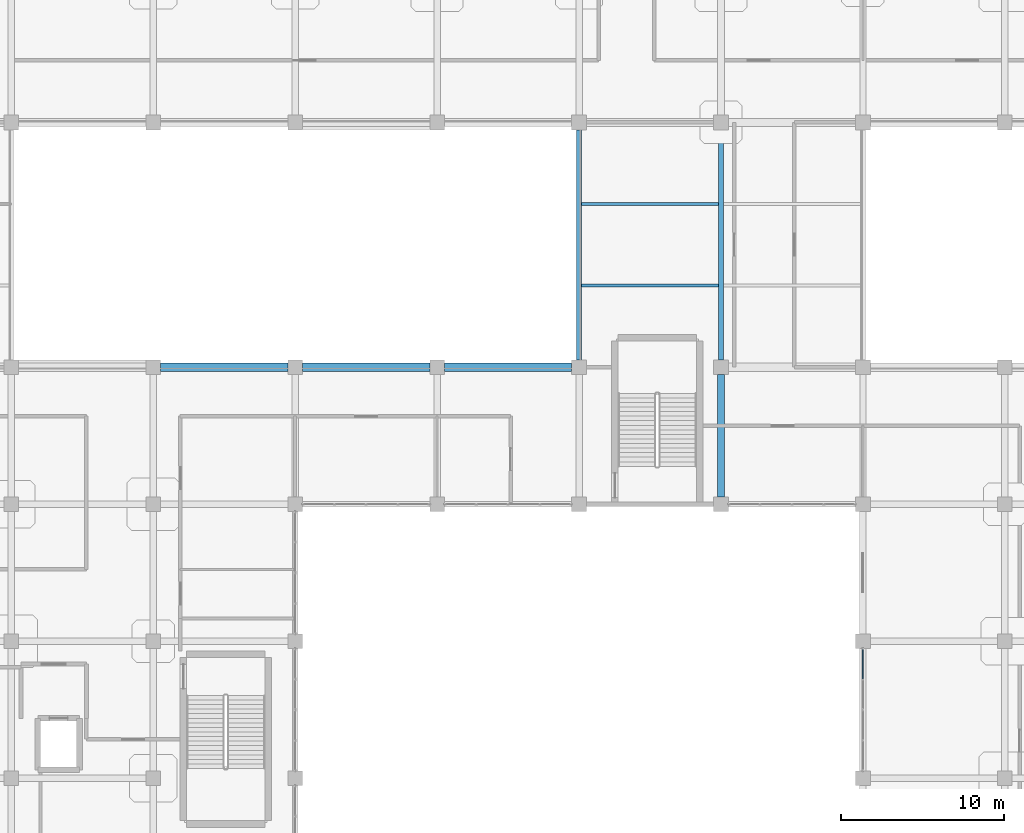
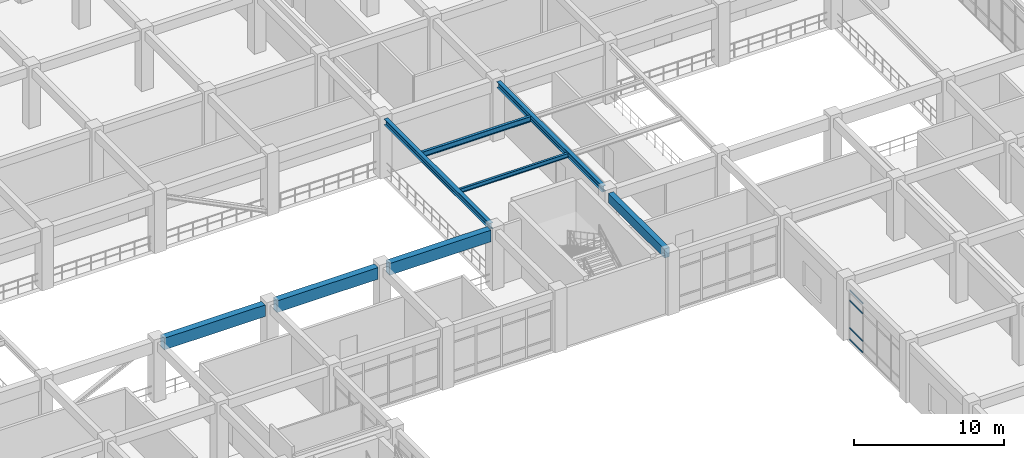
# One storey, part 40 of 120: 8 beams, 4 members, 1 element without a shape of its own.
"""IFC4 building model written with IfcOpenShell, lengths in metres."""

from ifc_helpers import new_model, si_unit, derived_unit, direction, frame, origin, origin_2d, place, context, subcontext, project, spatial, rectangle, hollow_rectangle, i_section, extrude, material, layer, layer_set, material_profile, profile_set, type_object, element, aggregate, save


model = new_model("IFC4")

# Units and contexts
model_context = context("Model", 3, precision=1e-05, world=origin(), true_north=direction((0.0, 1.0)))
body_context = subcontext(model_context, "Body", "Model", "MODEL_VIEW")
ifc_project = project(units=[si_unit("LENGTHUNIT", "METRE"), si_unit("AREAUNIT", "SQUARE_METRE"), si_unit("VOLUMEUNIT", "CUBIC_METRE"), si_unit("PLANEANGLEUNIT", "RADIAN"), si_unit("MASSUNIT", "GRAM", prefix="KILO"), derived_unit("THERMALTRANSMITTANCEUNIT", [(si_unit("MASSUNIT", "GRAM", prefix="KILO"), 1), (si_unit("TIMEUNIT", "SECOND"), -3), (si_unit("THERMODYNAMICTEMPERATUREUNIT", "KELVIN"), -1)])], contexts=[model_context])

# Site, building, storey
site_placement = place(None, origin())
site = spatial("IfcSite", under=ifc_project, at=site_placement, CompositionType="ELEMENT")
building_placement = place(site_placement, origin())
building = spatial("IfcBuilding", under=site, at=building_placement, Name="Qinzheling Arcade Emporium", CompositionType="ELEMENT")
storey_placement = place(building_placement, frame((0.0, 0.0, 11.39990234375)))
storey = spatial("IfcBuildingStorey", under=building, at=storey_placement, Name="L03", CompositionType="ELEMENT", Elevation=11.39990234375)

# Beams
ifc_material_1 = material(Name="Structural steel Q355B", Category="steel")
ifc_material_profile_1 = material_profile(ifc_material_1, i_section(OverallWidth=0.300048828125, OverallDepth=0.488037109375, WebThickness=0.010986328125, FlangeThickness=0.01806640625, FilletRadius=0.02197265625, at=origin_2d()), Name="HM 488x300x11x18", Category="steel")
ifc_profile_set_1 = profile_set([ifc_material_profile_1], Name="Structural steel Q355B")
beam_type_1 = type_object("IfcBeamType", Name="Atrium Bridge Girder HM488 Q355B", PredefinedType="USERDEFINED", material=ifc_profile_set_1)
for number, where, z_axis, x_axis, name in (
    (1, (87.0, 50.85009765625, 4.576171875), (0.0, 1.0, 0.0), (-1.0, 0.0, 0.0), "Beam BM-L03-Y-11-G"),
    (2, (95.699951171875, 50.85009765625, 4.576171875), (0.0, 1.0, 0.0), (-1.0, 0.0, 0.0), "Beam BM-L03-Y-12-G"),
):
    element("IfcBeam", number, at=place(storey_placement, frame(where, z_axis=z_axis, x_axis=x_axis)), inside=storey, type_object=beam_type_1, Name=name, ObjectType="TRANSFER_GIRDER", PredefinedType="USERDEFINED", context=body_context, shape_type="SweptSolid", body=[
        extrude(i_section(OverallWidth=0.300048828125, OverallDepth=0.488037109375, WebThickness=0.010986328125, FlangeThickness=0.01806640625, FilletRadius=0.02197265625, at=origin_2d()), origin(), (0.0, 0.0, 1.0), 14.099853515625),
    ])
ifc_material_profile_2 = material_profile(ifc_material_1, i_section(OverallWidth=0.175048828125, OverallDepth=0.35009765625, WebThickness=0.007080078125, FlangeThickness=0.010986328125, FilletRadius=0.013916015625, at=origin_2d()), Name="HN 350x175x7x11", Category="steel")
ifc_profile_set_2 = profile_set([ifc_material_profile_2], Name="Structural steel Q355B")
beam_type_2 = type_object("IfcBeamType", Name="Canopy Secondary Joist HN350 Q355B", PredefinedType="JOIST", material=ifc_profile_set_2)
beam_1_placement = place(storey_placement, frame((87.155029296875, 55.39990234375, 4.64501953125), z_axis=(1.0, 0.0, 0.0), x_axis=(0.0, 1.0, 0.0)))
element("IfcBeam", 3, at=beam_1_placement, inside=storey, type_object=beam_type_2, Name="Secondary Joist JST-L03-11-1", PredefinedType="JOIST", context=body_context, shape_type="SweptSolid", body=[
    extrude(i_section(OverallWidth=0.175048828125, OverallDepth=0.35009765625, WebThickness=0.007080078125, FlangeThickness=0.010986328125, FilletRadius=0.013916015625, at=origin_2d()), origin(), (0.0, 0.0, 1.0), 8.389892578125),
])

# Curtain wall, members
ifc_material_2 = material(Name="Anodised aluminium and solar-control double glazing", Category="aluminium")
ifc_layer = layer(ifc_material_2, 0.159912109375, Name="Anodised aluminium and solar-control double glazing", Category="aluminium")
ifc_layer_set = layer_set([ifc_layer], Name="Anodised aluminium and solar-control double glazing")
curtain_wall_type = type_object("IfcCurtainWallType", Name="Arcade Portal Glazed Curtain Wall", PredefinedType="NOTDEFINED", material=ifc_layer_set)
curtain_wall_placement = place(storey_placement, origin())
curtain_wall = element("IfcCurtainWall", 4, at=curtain_wall_placement, inside=storey, type_object=curtain_wall_type, Name="Curtain Wall CW-L03-141", PredefinedType="NOTDEFINED")
ifc_material_3 = material(Name="Anodised aluminium 6063-T6", Category="aluminium")
ifc_material_profile_3 = material_profile(ifc_material_3, hollow_rectangle(XDim=0.06005859375, YDim=0.1201171875, WallThickness=0.00390625, InnerFilletRadius=0.00390625, OuterFilletRadius=0.008056640625, at=origin_2d()), Name="RHS 120x60x4", Category="aluminium")
ifc_profile_set_3 = profile_set([ifc_material_profile_3], Name="Anodised aluminium 6063-T6")
member_type = type_object("IfcMemberType", Name="Curtain Wall Transom RHS120x60", PredefinedType="USERDEFINED", material=ifc_profile_set_3)
member_1_placement = place(storey_placement, frame((104.39990234375, 31.303955078125, 0.030029296875), z_axis=(0.0, 1.0, 0.0), x_axis=(-1.0, 0.0, 0.0)))
member_1 = element("IfcMember", 5, at=member_1_placement, type_object=member_type, Name="CW05 transom 4.1", ObjectType="TRANSOM", PredefinedType="USERDEFINED", context=body_context, shape_type="SweptSolid", body=[
    extrude(hollow_rectangle(XDim=0.06005859375, YDim=0.1201171875, WallThickness=0.00390625, InnerFilletRadius=0.00390625, OuterFilletRadius=0.008056640625, at=origin_2d()), origin(), (0.0, 0.0, 1.0), 1.783935546875),
])
member_2_placement = place(storey_placement, frame((104.39990234375, 31.303955078125, 0.9501953125), z_axis=(0.0, 1.0, 0.0), x_axis=(-1.0, 0.0, 0.0)))
member_2 = element("IfcMember", 6, at=member_2_placement, type_object=member_type, Name="CW05 transom 4.2", ObjectType="TRANSOM", PredefinedType="USERDEFINED", context=body_context, shape_type="SweptSolid", body=[
    extrude(hollow_rectangle(XDim=0.06005859375, YDim=0.1201171875, WallThickness=0.00390625, InnerFilletRadius=0.00390625, OuterFilletRadius=0.008056640625, at=origin_2d()), origin(), (0.0, 0.0, 1.0), 1.783935546875),
])
member_3_placement = place(storey_placement, frame((104.39990234375, 31.303955078125, 3.205078125), z_axis=(0.0, 1.0, 0.0), x_axis=(-1.0, 0.0, 0.0)))
member_3 = element("IfcMember", 7, at=member_3_placement, type_object=member_type, Name="CW05 transom 4.3", ObjectType="TRANSOM", PredefinedType="USERDEFINED", context=body_context, shape_type="SweptSolid", body=[
    extrude(hollow_rectangle(XDim=0.06005859375, YDim=0.1201171875, WallThickness=0.00390625, InnerFilletRadius=0.00390625, OuterFilletRadius=0.008056640625, at=origin_2d()), origin(), (0.0, 0.0, 1.0), 1.783935546875),
])
member_4_placement = place(storey_placement, frame((104.39990234375, 31.303955078125, 4.025146484375), z_axis=(0.0, 1.0, 0.0), x_axis=(-1.0, 0.0, 0.0)))
member_4 = element("IfcMember", 8, at=member_4_placement, type_object=member_type, Name="CW05 transom 4.4", ObjectType="TRANSOM", PredefinedType="USERDEFINED", context=body_context, shape_type="SweptSolid", body=[
    extrude(hollow_rectangle(XDim=0.06005859375, YDim=0.1201171875, WallThickness=0.00390625, InnerFilletRadius=0.00390625, OuterFilletRadius=0.008056640625, at=origin_2d()), origin(), (0.0, 0.0, 1.0), 1.783935546875),
])
aggregate(curtain_wall, [member_1, member_2, member_3, member_4])

# Beams
ifc_material_4 = material(Name="Concrete C40", Category="concrete")
ifc_material_profile_4 = material_profile(ifc_material_4, rectangle(XDim=0.39990234375, YDim=0.75, at=origin_2d()), Name="RC 400x750", Category="concrete")
ifc_profile_set_4 = profile_set([ifc_material_profile_4], Name="Concrete C40")
beam_type_3 = type_object("IfcBeamType", Name="RC Interior Tie Beam 400x750 C40", PredefinedType="BEAM", material=ifc_profile_set_4)
beam_2_placement = place(storey_placement, frame((95.699951171875, 42.449951171875, 4.445068359375), z_axis=(0.0, 1.0, 0.0), x_axis=(-1.0, 0.0, 0.0)))
element("IfcBeam", 9, at=beam_2_placement, inside=storey, type_object=beam_type_3, Name="Beam BM-L03-Y-12-F", PredefinedType="BEAM", context=body_context, shape_type="SweptSolid", body=[
    extrude(rectangle(XDim=0.39990234375, YDim=0.75, at=origin_2d()), origin(), (0.0, 0.0, 1.0), 7.5),
])
ifc_material_profile_5 = material_profile(ifc_material_4, rectangle(XDim=0.5, YDim=0.949951171875, at=origin_2d()), Name="RC 500x950", Category="concrete")
ifc_profile_set_5 = profile_set([ifc_material_profile_5], Name="Concrete C40")
beam_type_4 = type_object("IfcBeamType", Name="RC Vault Ring Beam 500x950 C40", PredefinedType="BEAM", material=ifc_profile_set_5)
beam_3_placement = place(storey_placement, frame((61.35009765625, 50.39990234375, 4.34521484375), z_axis=(1.0, 0.0, 0.0), x_axis=(0.0, 1.0, 0.0)))
element("IfcBeam", 10, at=beam_3_placement, inside=storey, type_object=beam_type_4, Name="Beam BM-L03-X-G-8", PredefinedType="BEAM", context=body_context, shape_type="SweptSolid", body=[
    extrude(rectangle(XDim=0.5, YDim=0.949951171875, at=origin_2d()), origin(), (0.0, 0.0, 1.0), 7.7998046875),
])
for number, where, z_axis, x_axis, name in (
    (11, (70.050048828125, 50.39990234375, 4.34521484375), (1.0, 0.0, 0.0), (0.0, 1.0, 0.0), "Beam BM-L03-X-G-9"),
    (12, (78.75, 50.39990234375, 4.34521484375), (1.0, 0.0, 0.0), (0.0, 1.0, 0.0), "Beam BM-L03-X-G-10"),
):
    element("IfcBeam", number, at=place(storey_placement, frame(where, z_axis=z_axis, x_axis=x_axis)), inside=storey, type_object=beam_type_4, Name=name, PredefinedType="BEAM", context=body_context, shape_type="SweptSolid", body=[
        extrude(rectangle(XDim=0.5, YDim=0.949951171875, at=origin_2d()), origin(), (0.0, 0.0, 1.0), 7.800048828125),
    ])
ifc_material_profile_6 = material_profile(ifc_material_1, i_section(OverallWidth=0.199951171875, OverallDepth=0.449951171875, WebThickness=0.009033203125, FlangeThickness=0.013916015625, FilletRadius=0.01611328125, at=origin_2d()), Name="HN 450x200x9x14", Category="steel")
ifc_profile_set_6 = profile_set([ifc_material_profile_6], Name="Structural steel Q355B")
beam_type_5 = type_object("IfcBeamType", Name="Secondary Floor Joist HN450 Q355B", PredefinedType="JOIST", material=ifc_profile_set_6)
beam_4_placement = place(storey_placement, frame((87.155029296875, 60.39990234375, 4.59521484375), z_axis=(1.0, 0.0, 0.0), x_axis=(0.0, 1.0, 0.0)))
element("IfcBeam", 13, at=beam_4_placement, inside=storey, type_object=beam_type_5, Name="Secondary Joist JST-L03-11-2", PredefinedType="JOIST", context=body_context, shape_type="SweptSolid", body=[
    extrude(i_section(OverallWidth=0.199951171875, OverallDepth=0.449951171875, WebThickness=0.009033203125, FlangeThickness=0.013916015625, FilletRadius=0.01611328125, at=origin_2d()), origin(), (0.0, 0.0, 1.0), 8.389892578125),
])

save(model, "model.ifc")
